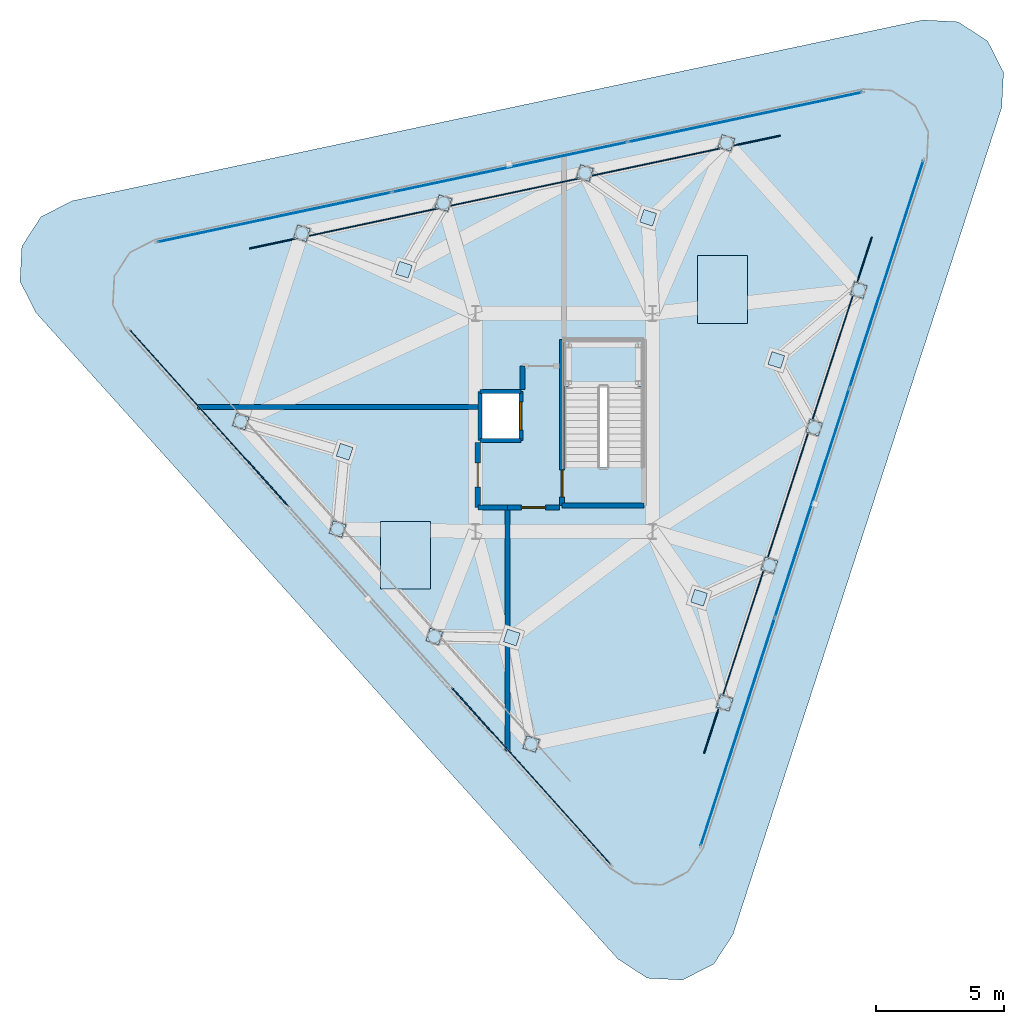
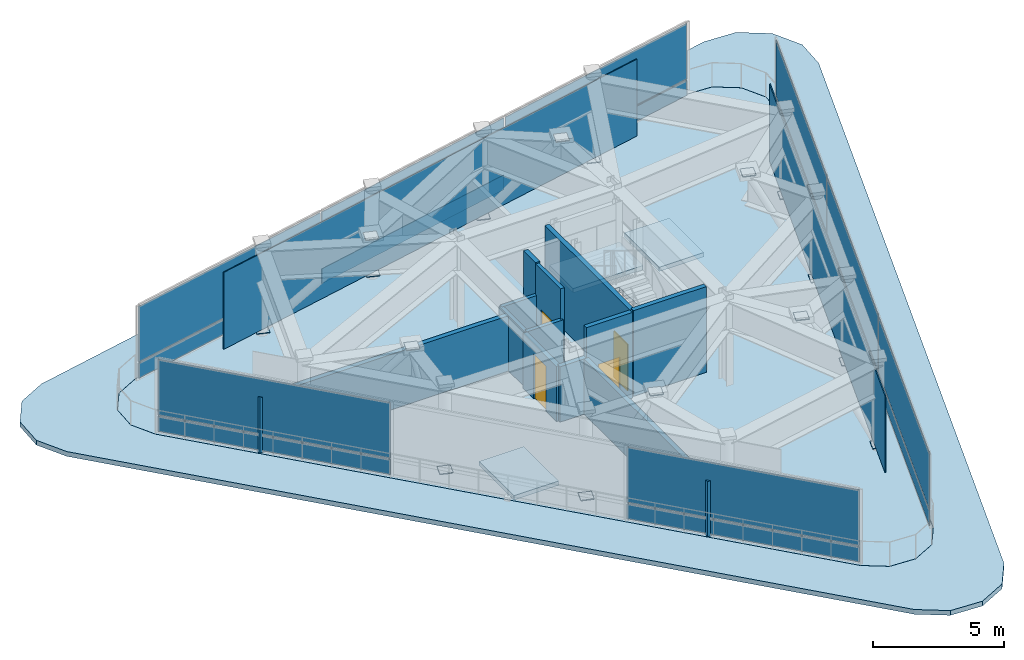
# One storey, part 3 of 6: 36 plates, 12 walls, 5 slabs, 4 doors, 4 openings, 4 elements without a shape of their own.
"""IFC4 building model written with IfcOpenShell, lengths in metres."""

from ifc_helpers import new_model, si_unit, direction, frame, frame_2d, origin, origin_2d, place, context, subcontext, project, spatial, polyline, rectangle, outline, extrude, material, layer, layer_set, type_object, element, fill, aggregate, save


model = new_model("IFC4")

# Units and contexts
model_context = context("Model", 3, precision=1e-05, world=origin(), true_north=direction((0.0, 1.0)))
body_context = subcontext(model_context, "Body", "Model", "MODEL_VIEW")
ifc_project = project(units=[si_unit("LENGTHUNIT", "METRE"), si_unit("AREAUNIT", "SQUARE_METRE"), si_unit("VOLUMEUNIT", "CUBIC_METRE"), si_unit("PLANEANGLEUNIT", "RADIAN"), si_unit("MASSUNIT", "GRAM", prefix="KILO")], contexts=[model_context])

# Site, building, storey
site_placement = place(None, origin())
site = spatial("IfcSite", under=ifc_project, at=site_placement, CompositionType="ELEMENT")
building_placement = place(site_placement, origin())
building = spatial("IfcBuilding", under=site, at=building_placement, Name="Terralouvre Media Tower", CompositionType="ELEMENT")
storey_placement = place(building_placement, frame((0.0, 0.0, 326.60009765625)))
storey = spatial("IfcBuildingStorey", under=building, at=storey_placement, Name="L84", CompositionType="ELEMENT", Elevation=326.60009765625)

# Plates
ifc_material_1 = material(Name="Low-iron laminated double glazing with solar-control coating", Category="glass")
ifc_layer_1 = layer(ifc_material_1, 0.0419921875, Name="Crown Faceted Tapered Glass Panel CWP-04")
ifc_layer_set_1 = layer_set([ifc_layer_1], Name="Low-iron laminated double glazing with solar-control coating")
plate_type_1 = type_object("IfcPlateType", Name="Crown Faceted Tapered Glass Panel CWP-04", PredefinedType="SHEET", material=ifc_layer_set_1)
for number, where, z_axis, x_axis, name in (
    (1, (8.731689453125, -2.837158203125, 0.31494140625), (0.0, 0.0, 1.0), (0.3090168573, 0.951056560834, 0.0), "L84 Faceted Glass-Point Crown Panel F0"),
    (2, (-1.908935546875, 8.980224609375, 0.31494140625), (0.0, 0.0, 1.0), (-0.978147555117, -0.207911905429, 0.0), "L84 Faceted Glass-Point Crown Panel F1"),
):
    element("IfcPlate", number, at=place(storey_placement, frame(where, z_axis=z_axis, x_axis=x_axis)), inside=storey, type_object=plate_type_1, Name=name, PredefinedType="SHEET", context=body_context, shape_type="SweptSolid", body=[
        extrude(rectangle(XDim=21.142822265625, YDim=0.044921875, at=origin_2d()), origin(), (0.0, 0.0, 1.0), 3.570068359375),
    ])

# Slabs
ifc_material_2 = material(Name="Concrete C40/50", Category="concrete")
ifc_layer_2 = layer(ifc_material_2, 0.219970703125, Name="Crown Plant and Catwalk Slab S-CRN220")
ifc_layer_set_2 = layer_set([ifc_layer_2], Name="Concrete C40/50")
slab_type_1 = type_object("IfcSlabType", Name="Crown Plant and Catwalk Slab S-CRN220", PredefinedType="FLOOR", material=ifc_layer_set_2)
slab_1_placement = place(storey_placement, frame((0.0, 0.0, -0.22021484375), z_axis=(0.0, 0.0, 1.0), x_axis=(0.309016994375, 0.951056516295, 0.0)))
element("IfcSlab", 3, at=slab_1_placement, inside=storey, type_object=slab_type_1, Name="L84 Structural Floor Slab", PredefinedType="FLOOR", context=body_context, shape_type="SweptSolid", body=[
    extrude(outline(polyline([(-15.9619140625, -7.065673828125), (-16.25, -8.140625), (-15.9619140625, -9.215576171875), (-15.175048828125, -10.002685546875), (-14.10009765625, -10.29052734375), (14.10009765625, -10.29052734375), (15.175048828125, -10.002685546875), (15.9619140625, -9.215576171875), (16.25, -8.140625), (15.9619140625, -7.065673828125), (1.862060546875, 17.356201171875), (1.074951171875, 18.143310546875), (0.0, 18.431396484375), (-1.074951171875, 18.143310546875), (-1.862060546875, 17.356201171875), (-15.9619140625, -7.065673828125)]), holes=[polyline([(-1.57861328125, 2.851806640625), (0.076416015625, 3.389404296875), (0.5244140625, 2.010498046875), (-1.13037109375, 1.47265625), (-1.57861328125, 2.851806640625)]), polyline([(-1.669189453125, -0.542236328125), (3.04345703125, 0.98876953125), (3.9951171875, -1.9404296875), (-0.71728515625, -3.4716796875), (-1.669189453125, -0.542236328125)])]), origin(), (0.0, 0.0, 1.0), 0.22021484375),
])
slab_2_placement = place(storey_placement, frame((0.0, 0.0, -0.22021484375), z_axis=(0.0, 0.0, 1.0), x_axis=(0.309016994375, 0.951056516295, 0.0)))
element("IfcSlab", 4, at=slab_2_placement, inside=storey, type_object=slab_type_1, Name="L84 Crown Plant Setback Acoustic Roof Slab", PredefinedType="ROOF", context=body_context, shape_type="SweptSolid", body=[
    extrude(outline(polyline([(-19.244873046875, -8.461181640625), (-19.60009765625, -9.7861328125), (-19.244873046875, -11.111083984375), (-18.27490234375, -12.0810546875), (-16.949951171875, -12.43603515625), (16.949951171875, -12.43603515625), (18.27490234375, -12.0810546875), (19.244873046875, -11.111083984375), (19.60009765625, -9.7861328125), (19.244873046875, -8.461181640625), (2.294921875, 20.897216796875), (1.324951171875, 21.8671875), (0.0, 22.22216796875), (-1.324951171875, 21.8671875), (-2.294921875, 20.897216796875), (-19.244873046875, -8.461181640625)]), holes=[polyline([(-15.963623046875, -7.064697265625), (-1.86376953125, 17.357177734375), (-1.863525390625, 17.357421875), (-1.863525390625, 17.357666015625), (-1.86328125, 17.357666015625), (-1.076416015625, 18.14453125), (-1.076171875, 18.144775390625), (-1.076171875, 18.14501953125), (-1.075927734375, 18.14501953125), (-1.07568359375, 18.14501953125), (-1.075439453125, 18.145263671875), (-0.00048828125, 18.43310546875), (-0.000244140625, 18.433349609375), (0.0, 18.433349609375), (0.0, 18.433349609375), (0.000244140625, 18.433349609375), (0.00048828125, 18.43310546875), (1.075439453125, 18.145263671875), (1.07568359375, 18.14501953125), (1.075927734375, 18.14501953125), (1.076171875, 18.14501953125), (1.076171875, 18.144775390625), (1.076416015625, 18.14453125), (1.86328125, 17.357666015625), (1.863525390625, 17.357666015625), (1.863525390625, 17.357421875), (1.86376953125, 17.357177734375), (15.963623046875, -7.064697265625), (15.9638671875, -7.064697265625), (15.9638671875, -7.06494140625), (15.9638671875, -7.065185546875), (16.251953125, -8.14013671875), (16.251953125, -8.140380859375), (16.251953125, -8.140625), (16.251953125, -8.140625), (16.251953125, -8.140869140625), (16.251953125, -8.14111328125), (15.9638671875, -9.216064453125), (15.9638671875, -9.21630859375), (15.963623046875, -9.216552734375), (15.963623046875, -9.216796875), (15.963623046875, -9.216796875), (15.96337890625, -9.217041015625), (15.176513671875, -10.00390625), (15.17626953125, -10.004150390625), (15.176025390625, -10.00439453125), (15.176025390625, -10.00439453125), (15.17578125, -10.00439453125), (15.175537109375, -10.004638671875), (14.1005859375, -10.29248046875), (14.100341796875, -10.292724609375), (14.10009765625, -10.292724609375), (14.10009765625, -10.292724609375), (-14.10009765625, -10.292724609375), (-14.10009765625, -10.292724609375), (-14.100341796875, -10.292724609375), (-14.1005859375, -10.29248046875), (-15.175537109375, -10.004638671875), (-15.17578125, -10.00439453125), (-15.176025390625, -10.00439453125), (-15.176025390625, -10.00439453125), (-15.17626953125, -10.004150390625), (-15.176513671875, -10.00390625), (-15.96337890625, -9.217041015625), (-15.963623046875, -9.216796875), (-15.963623046875, -9.216796875), (-15.963623046875, -9.216552734375), (-15.9638671875, -9.21630859375), (-15.9638671875, -9.216064453125), (-16.251953125, -8.14111328125), (-16.251953125, -8.140869140625), (-16.251953125, -8.140625), (-16.251953125, -8.140625), (-16.251953125, -8.140380859375), (-16.251953125, -8.14013671875), (-15.9638671875, -7.065185546875), (-15.9638671875, -7.06494140625), (-15.9638671875, -7.064697265625), (-15.963623046875, -7.064697265625)])]), origin(), (0.0, 0.0, 1.0), 0.22021484375),
])

# Plates
ifc_material_3 = material(Name="Structural steel S355J2", Category="steel")
ifc_layer_3 = layer(ifc_material_3, 0.028076171875, Name="Crown Rib End-Cap Node Plate ND-CR1")
ifc_layer_set_3 = layer_set([ifc_layer_3], Name="Structural steel S355J2")
plate_type_2 = type_object("IfcPlateType", Name="Crown Rib End-Cap Node Plate ND-CR1", PredefinedType="SHEET", material=ifc_layer_set_3)
for number, where, z_axis, x_axis, name in (
    (5, (6.269287109375, -10.932373046875, 0.1357421875), (0.0, 0.0, 1.0), (0.309016994375, 0.951056516295, 0.0), "L84 Crown Rib Base Plate 01"),
    (6, (5.267578125, -6.8330078125, 3.9658203125), (0.0, 0.0, 1.0), (0.309016994375, 0.951056516295, 0.0), "L84 Crown Rib Top Plate 01"),
    (7, (8.011962890625, -5.568359375, 0.1357421875), (0.0, 0.0, 1.0), (0.309016994375, 0.951056516295, 0.0), "L84 Crown Rib Base Plate 02"),
    (8, (9.7548828125, -0.204345703125, 0.1357421875), (0.0, 0.0, 1.0), (0.309016994375, 0.951056516295, 0.0), "L84 Crown Rib Base Plate 03"),
    (9, (8.27783203125, 2.431884765625, 3.9658203125), (0.0, 0.0, 1.0), (0.309016994375, 0.951056516295, 0.0), "L84 Crown Rib Top Plate 03"),
    (10, (11.497802734375, 5.159423828125, 0.1357421875), (0.0, 0.0, 1.0), (0.309016994375, 0.951056516295, 0.0), "L84 Crown Rib Base Plate 04"),
    (11, (6.3330078125, 10.8955078125, 0.1357421875), (0.0, 0.0, 1.0), (0.309016994375, 0.951056516295, 0.0), "L84 Crown Rib Base Plate 05"),
    (12, (3.28369140625, 7.978271484375, 3.9658203125), (0.0, 0.0, 1.0), (0.309016994375, 0.951056516295, 0.0), "L84 Crown Rib Top Plate 05"),
    (13, (0.81640625, 9.722900390625, 0.1357421875), (0.0, 0.0, 1.0), (0.309016994375, 0.951056516295, 0.0), "L84 Crown Rib Base Plate 06"),
    (14, (-4.700439453125, 8.55029296875, 0.1357421875), (0.0, 0.0, 1.0), (0.309016994375, 0.951056516295, 0.0), "L84 Crown Rib Base Plate 07"),
    (15, (-6.244873046875, 5.952880859375, 3.9658203125), (0.0, 0.0, 1.0), (0.309016994375, 0.951056516295, 0.0), "L84 Crown Rib Top Plate 07"),
    (16, (-10.21728515625, 7.377685546875, 0.1357421875), (0.0, 0.0, 1.0), (0.309016994375, 0.951056516295, 0.0), "L84 Crown Rib Base Plate 08"),
    (17, (-12.602294921875, 0.036865234375, 0.1357421875), (0.0, 0.0, 1.0), (0.309016994375, 0.951056516295, 0.0), "L84 Crown Rib Base Plate 09"),
    (18, (-8.55126953125, -1.145263671875, 3.9658203125), (0.0, 0.0, 1.0), (0.309016994375, 0.951056516295, 0.0), "L84 Crown Rib Top Plate 09"),
    (19, (-8.828369140625, -4.154541015625, 0.1357421875), (0.0, 0.0, 1.0), (0.309016994375, 0.951056516295, 0.0), "L84 Crown Rib Base Plate 10"),
    (20, (-5.054443359375, -8.345703125, 0.1357421875), (0.0, 0.0, 1.0), (0.309016994375, 0.951056516295, 0.0), "L84 Crown Rib Base Plate 11"),
    (21, (-2.032958984375, -8.384765625, 3.9658203125), (0.0, 0.0, 1.0), (0.309016994375, 0.951056516295, 0.0), "L84 Crown Rib Top Plate 11"),
    (22, (-1.280517578125, -12.537109375, 0.1357421875), (0.0, 0.0, 1.0), (0.309016994375, 0.951056516295, 0.0), "L84 Crown Rib Base Plate 12"),
):
    element("IfcPlate", number, at=place(storey_placement, frame(where, z_axis=z_axis, x_axis=x_axis)), inside=storey, type_object=plate_type_2, Name=name, PredefinedType="SHEET", context=body_context, shape_type="SweptSolid", body=[
        extrude(rectangle(XDim=0.52001953125, YDim=0.52001953125, at=origin_2d()), origin(), (0.0, 0.0, 1.0), 0.028076171875),
    ])

# Slabs
ifc_material_4 = material(Name="Concrete C50/60", Category="concrete")
ifc_layer_4 = layer(ifc_material_4, 0.199951171875, Name="Lift Pit and Overrun Structural Slab SL-LP200")
ifc_layer_set_4 = layer_set([ifc_layer_4], Name="Concrete C50/60")
slab_type_2 = type_object("IfcSlabType", Name="Lift Pit and Overrun Structural Slab SL-LP200", PredefinedType="FLOOR", material=ifc_layer_set_4)
slab_3_placement = place(storey_placement, frame((0.0, 0.0, -0.420166015625)))
element("IfcSlab", 23, at=slab_3_placement, inside=storey, type_object=slab_type_2, Name="FFL-01 Lift Hoistway Overrun Slab", PredefinedType="FLOOR", context=body_context, shape_type="SweptSolid", body=[
    extrude(outline(polyline([(-7.159912109375, -6.5), (-5.199951171875, -6.5), (-5.199951171875, -3.860107421875), (-7.159912109375, -3.860107421875), (-7.159912109375, -6.5)])), origin(), (0.0, 0.0, 1.0), 0.199951171875),
])
slab_4_placement = place(storey_placement, frame((0.0, 0.0, -0.420166015625)))
element("IfcSlab", 24, at=slab_4_placement, inside=storey, type_object=slab_type_2, Name="FFL-02 Lift Hoistway Overrun Slab", PredefinedType="FLOOR", context=body_context, shape_type="SweptSolid", body=[
    extrude(outline(polyline([(5.199951171875, 3.860107421875), (7.159912109375, 3.860107421875), (7.159912109375, 6.5), (5.199951171875, 6.5), (5.199951171875, 3.860107421875)])), origin(), (0.0, 0.0, 1.0), 0.199951171875),
])

# Stair, slab
ifc_material_5 = material(Name="Concrete C45/55", Category="concrete")
stair_type = type_object("IfcStairType", Name="Dogleg Stair Assembly ST-05", PredefinedType="HALF_TURN_STAIR", material=ifc_material_5)
stair_placement = place(storey_placement, origin())
stair = element("IfcStair", 25, at=stair_placement, inside=storey, type_object=stair_type, Name="L84 Crown Maintenance Stair ST-05", PredefinedType="HALF_TURN_STAIR")
ifc_material_6 = material(Name="Concrete C45/55", Category="concrete")
ifc_layer_5 = layer(ifc_material_6, 0.199951171875, Name="Reinforced Concrete Stair Half-Landing SL-LD1")
ifc_layer_set_5 = layer_set([ifc_layer_5], Name="Concrete C45/55")
slab_type_3 = type_object("IfcSlabType", Name="Reinforced Concrete Stair Half-Landing SL-LD1", PredefinedType="LANDING", material=ifc_layer_set_5)
slab_5_placement = place(storey_placement, frame((0.0, 0.0, 1.89990234375)))
slab_5 = element("IfcSlab", 26, at=slab_5_placement, type_object=slab_type_3, Name="ST-05 landing 1", PredefinedType="LANDING", context=body_context, shape_type="SweptSolid", body=[
    extrude(outline(polyline([(3.080078125, 1.39990234375), (3.080078125, 3.199951171875), (0.0, 3.199951171875), (0.0, 1.39990234375), (3.080078125, 1.39990234375)])), origin(), (0.0, 0.0, 1.0), 0.199951171875),
])
aggregate(stair, [slab_5])

# Curtain wall, plates
ifc_material_7 = material(Name="Low-iron laminated double glazing with solar-control coating", Category="glass")
ifc_layer_6 = layer(ifc_material_7, 0.1650390625, Name="Faceted Glass-Point Crown Curtain Wall CW-06")
ifc_layer_set_6 = layer_set([ifc_layer_6], Name="Low-iron laminated double glazing with solar-control coating")
curtain_wall_type = type_object("IfcCurtainWallType", Name="Faceted Glass-Point Crown Curtain Wall CW-06", PredefinedType="NOTDEFINED", material=ifc_layer_set_6)
curtain_wall_1_placement = place(storey_placement, origin())
curtain_wall_1 = element("IfcCurtainWall", 27, at=curtain_wall_1_placement, inside=storey, type_object=curtain_wall_type, Name="L84 Facade Curtain Wall F0", PredefinedType="NOTDEFINED")
ifc_material_8 = material(Name="Low-iron laminated double glazing with solar-control coating", Category="glass")
ifc_layer_7 = layer(ifc_material_8, 0.035888671875, Name="Vision Double-Glazed Unit CWP-01")
ifc_layer_set_7 = layer_set([ifc_layer_7], Name="Low-iron laminated double glazing with solar-control coating")
plate_type_3 = type_object("IfcPlateType", Name="Vision Double-Glazed Unit CWP-01", PredefinedType="CURTAIN_PANEL", material=ifc_layer_set_7)
plate_1_placement = place(storey_placement, frame((6.77392578125, -12.06494140625, 0.074951171875), z_axis=(0.0, 0.0, 1.0), x_axis=(0.309016953674, 0.95105652952, 0.0)))
plate_1 = element("IfcPlate", 28, at=plate_1_placement, type_object=plate_type_3, Name="CW-06 panel 1.1", PredefinedType="CURTAIN_PANEL", context=body_context, shape_type="SweptSolid", body=[
    extrude(rectangle(XDim=9.28759765625, YDim=0.035888671875, at=origin_2d()), origin(), (0.0, 0.0, 1.0), 0.6875),
])
plate_2_placement = place(storey_placement, frame((6.77392578125, -12.06494140625, 0.83740234375), z_axis=(0.0, 0.0, 1.0), x_axis=(0.309016953674, 0.95105652952, 0.0)))
plate_2 = element("IfcPlate", 29, at=plate_2_placement, type_object=plate_type_3, Name="CW-06 panel 1.2", PredefinedType="CURTAIN_PANEL", context=body_context, shape_type="SweptSolid", body=[
    extrude(rectangle(XDim=9.28759765625, YDim=0.035888671875, at=origin_2d()), origin(), (0.0, 0.0, 1.0), 2.5673828125),
])
plate_3_placement = place(storey_placement, frame((9.6728515625, -3.142822265625, 0.074951171875), z_axis=(0.0, 0.0, 1.0), x_axis=(0.309016953674, 0.95105652952, 0.0)))
plate_3 = element("IfcPlate", 30, at=plate_3_placement, type_object=plate_type_3, Name="CW-06 panel 2.1", PredefinedType="CURTAIN_PANEL", context=body_context, shape_type="SweptSolid", body=[
    extrude(rectangle(XDim=9.324951171875, YDim=0.035888671875, at=origin_2d()), origin(), (0.0, 0.0, 1.0), 0.6875),
])
plate_4_placement = place(storey_placement, frame((9.6728515625, -3.142822265625, 0.83740234375), z_axis=(0.0, 0.0, 1.0), x_axis=(0.309016953674, 0.95105652952, 0.0)))
plate_4 = element("IfcPlate", 31, at=plate_4_placement, type_object=plate_type_3, Name="CW-06 panel 2.2", PredefinedType="CURTAIN_PANEL", context=body_context, shape_type="SweptSolid", body=[
    extrude(rectangle(XDim=9.324951171875, YDim=0.035888671875, at=origin_2d()), origin(), (0.0, 0.0, 1.0), 2.5673828125),
])
plate_5_placement = place(storey_placement, frame((12.57177734375, 5.779296875, 0.074951171875), z_axis=(0.0, 0.0, 1.0), x_axis=(0.309016953674, 0.95105652952, 0.0)))
plate_5 = element("IfcPlate", 32, at=plate_5_placement, type_object=plate_type_3, Name="CW-06 panel 3.1", PredefinedType="CURTAIN_PANEL", context=body_context, shape_type="SweptSolid", body=[
    extrude(rectangle(XDim=9.28759765625, YDim=0.035888671875, at=origin_2d()), origin(), (0.0, 0.0, 1.0), 0.6875),
])
plate_6_placement = place(storey_placement, frame((12.57177734375, 5.779296875, 0.83740234375), z_axis=(0.0, 0.0, 1.0), x_axis=(0.309016953674, 0.95105652952, 0.0)))
plate_6 = element("IfcPlate", 33, at=plate_6_placement, type_object=plate_type_3, Name="CW-06 panel 3.2", PredefinedType="CURTAIN_PANEL", context=body_context, shape_type="SweptSolid", body=[
    extrude(rectangle(XDim=9.28759765625, YDim=0.035888671875, at=origin_2d()), origin(), (0.0, 0.0, 1.0), 2.5673828125),
])
aggregate(curtain_wall_1, [plate_1, plate_2, plate_3, plate_4, plate_5, plate_6])

curtain_wall_2_placement = place(storey_placement, origin())
curtain_wall_2 = element("IfcCurtainWall", 34, at=curtain_wall_2_placement, inside=storey, type_object=curtain_wall_type, Name="L84 Facade Curtain Wall F1", PredefinedType="NOTDEFINED")
plate_7_placement = place(storey_placement, frame((7.061767578125, 11.89892578125, 0.074951171875), z_axis=(0.0, 0.0, 1.0), x_axis=(-0.978147610176, -0.207911646397, 0.0)))
plate_7 = element("IfcPlate", 35, at=plate_7_placement, type_object=plate_type_3, Name="CW-06 panel 1.1", PredefinedType="CURTAIN_PANEL", context=body_context, shape_type="SweptSolid", body=[
    extrude(rectangle(XDim=9.28759765625, YDim=0.035888671875, at=origin_2d()), origin(), (0.0, 0.0, 1.0), 0.6875),
])
plate_8_placement = place(storey_placement, frame((7.061767578125, 11.89892578125, 0.83740234375), z_axis=(0.0, 0.0, 1.0), x_axis=(-0.978147610176, -0.207911646397, 0.0)))
plate_8 = element("IfcPlate", 36, at=plate_8_placement, type_object=plate_type_3, Name="CW-06 panel 1.2", PredefinedType="CURTAIN_PANEL", context=body_context, shape_type="SweptSolid", body=[
    extrude(rectangle(XDim=9.28759765625, YDim=0.035888671875, at=origin_2d()), origin(), (0.0, 0.0, 1.0), 2.5673828125),
])
plate_9_placement = place(storey_placement, frame((-2.114501953125, 9.948486328125, 0.074951171875), z_axis=(0.0, 0.0, 1.0), x_axis=(-0.978147610176, -0.207911646397, 0.0)))
plate_9 = element("IfcPlate", 37, at=plate_9_placement, type_object=plate_type_3, Name="CW-06 panel 2.1", PredefinedType="CURTAIN_PANEL", context=body_context, shape_type="SweptSolid", body=[
    extrude(rectangle(XDim=9.324951171875, YDim=0.035888671875, at=origin_2d()), origin(), (0.0, 0.0, 1.0), 0.6875),
])
plate_10_placement = place(storey_placement, frame((-2.114501953125, 9.948486328125, 0.83740234375), z_axis=(0.0, 0.0, 1.0), x_axis=(-0.978147610176, -0.207911646397, 0.0)))
plate_10 = element("IfcPlate", 38, at=plate_10_placement, type_object=plate_type_3, Name="CW-06 panel 2.2", PredefinedType="CURTAIN_PANEL", context=body_context, shape_type="SweptSolid", body=[
    extrude(rectangle(XDim=9.324951171875, YDim=0.035888671875, at=origin_2d()), origin(), (0.0, 0.0, 1.0), 2.5673828125),
])
plate_11_placement = place(storey_placement, frame((-11.290771484375, 7.997802734375, 0.074951171875), z_axis=(0.0, 0.0, 1.0), x_axis=(-0.978147610176, -0.207911646397, 0.0)))
plate_11 = element("IfcPlate", 39, at=plate_11_placement, type_object=plate_type_3, Name="CW-06 panel 3.1", PredefinedType="CURTAIN_PANEL", context=body_context, shape_type="SweptSolid", body=[
    extrude(rectangle(XDim=9.28759765625, YDim=0.035888671875, at=origin_2d()), origin(), (0.0, 0.0, 1.0), 0.6875),
])
plate_12_placement = place(storey_placement, frame((-11.290771484375, 7.997802734375, 0.83740234375), z_axis=(0.0, 0.0, 1.0), x_axis=(-0.978147610176, -0.207911646397, 0.0)))
plate_12 = element("IfcPlate", 40, at=plate_12_placement, type_object=plate_type_3, Name="CW-06 panel 3.2", PredefinedType="CURTAIN_PANEL", context=body_context, shape_type="SweptSolid", body=[
    extrude(rectangle(XDim=9.28759765625, YDim=0.035888671875, at=origin_2d()), origin(), (0.0, 0.0, 1.0), 2.5673828125),
])
aggregate(curtain_wall_2, [plate_7, plate_8, plate_9, plate_10, plate_11, plate_12])

curtain_wall_3_placement = place(storey_placement, origin())
curtain_wall_3 = element("IfcCurtainWall", 41, at=curtain_wall_3_placement, inside=storey, type_object=curtain_wall_type, Name="L84 Facade Curtain Wall F2", PredefinedType="NOTDEFINED")
plate_13_placement = place(storey_placement, frame((-13.83544921875, 0.166259765625, 0.074951171875), z_axis=(0.0, 0.0, 1.0), x_axis=(0.669130441247, -0.743144974145, 0.0)))
plate_13 = element("IfcPlate", 42, at=plate_13_placement, type_object=plate_type_3, Name="CW-06 panel 1.1", PredefinedType="CURTAIN_PANEL", context=body_context, shape_type="SweptSolid", body=[
    extrude(rectangle(XDim=9.28759765625, YDim=0.035888671875, at=origin_2d()), origin(), (0.0, 0.0, 1.0), 0.6875),
])
plate_14_placement = place(storey_placement, frame((-13.83544921875, 0.166259765625, 0.83740234375), z_axis=(0.0, 0.0, 1.0), x_axis=(0.669130441247, -0.743144974145, 0.0)))
plate_14 = element("IfcPlate", 43, at=plate_14_placement, type_object=plate_type_3, Name="CW-06 panel 1.2", PredefinedType="CURTAIN_PANEL", context=body_context, shape_type="SweptSolid", body=[
    extrude(rectangle(XDim=9.28759765625, YDim=0.035888671875, at=origin_2d()), origin(), (0.0, 0.0, 1.0), 2.5673828125),
])
plate_15_placement = place(storey_placement, frame((-1.281005859375, -13.777099609375, 0.074951171875), z_axis=(0.0, 0.0, 1.0), x_axis=(0.669130441247, -0.743144974145, 0.0)))
plate_15 = element("IfcPlate", 44, at=plate_15_placement, type_object=plate_type_3, Name="CW-06 panel 3.1", PredefinedType="CURTAIN_PANEL", context=body_context, shape_type="SweptSolid", body=[
    extrude(rectangle(XDim=9.28759765625, YDim=0.035888671875, at=origin_2d()), origin(), (0.0, 0.0, 1.0), 0.6875),
])
plate_16_placement = place(storey_placement, frame((-1.281005859375, -13.777099609375, 0.83740234375), z_axis=(0.0, 0.0, 1.0), x_axis=(0.669130441247, -0.743144974145, 0.0)))
plate_16 = element("IfcPlate", 45, at=plate_16_placement, type_object=plate_type_3, Name="CW-06 panel 3.2", PredefinedType="CURTAIN_PANEL", context=body_context, shape_type="SweptSolid", body=[
    extrude(rectangle(XDim=9.28759765625, YDim=0.035888671875, at=origin_2d()), origin(), (0.0, 0.0, 1.0), 2.5673828125),
])
aggregate(curtain_wall_3, [plate_13, plate_14, plate_15, plate_16])

# Wall
ifc_material_9 = material(Name="Fire-rated gypsum board drywall partition")
ifc_layer_8 = layer(ifc_material_9, 0.199951171875, Name="Fire-Rated Shaft and Lobby Partition FW-200")
ifc_layer_set_8 = layer_set([ifc_layer_8], Name="Fire-rated gypsum board drywall partition")
wall_type = type_object("IfcWallType", Name="Fire-Rated Shaft and Lobby Partition FW-200", PredefinedType="SOLIDWALL", material=ifc_layer_set_8)
wall_1_placement = place(storey_placement, frame((-0.080078125, -3.239990234375, 0.0), z_axis=(0.0, 0.0, 1.0), x_axis=(1.0, 0.0, 0.0)))
element("IfcWall", 46, at=wall_1_placement, inside=storey, type_object=wall_type, Name="L84 ST05 Stair Shaft Wall S", PredefinedType="SOLIDWALL", context=body_context, shape_type="SweptSolid", body=[
    extrude(rectangle(XDim=3.2001953125, YDim=0.199951171875, at=frame_2d((1.60009765625, 0.0))), origin(), (0.0, 0.0, 1.0), 3.97998046875),
])

# Wall, opening, door
wall_2_placement = place(storey_placement, frame((-0.080078125, 3.239990234375, 0.0), z_axis=(0.0, 0.0, 1.0), x_axis=(0.0, -1.0, 0.0)))
wall_2 = element("IfcWall", 47, at=wall_2_placement, inside=storey, type_object=wall_type, Name="L84 ST05 Stair Shaft Wall W", PredefinedType="SOLIDWALL", context=body_context, shape_type="SweptSolid", body=[
    extrude(rectangle(XDim=6.47998046875, YDim=0.199951171875, at=frame_2d((3.239990234375, 0.0))), origin(), (0.0, 0.0, 1.0), 3.97998046875),
])
opening_1_placement = place(wall_2_placement, frame((5.10009765625, 0.0, 0.0)))
opening_1 = element("IfcOpeningElement", 48, at=opening_1_placement, cuts=wall_2, Name="Opening FD-01-105X215", PredefinedType="OPENING", context=body_context, shape_type="SweptSolid", body=[
    extrude(rectangle(XDim=1.050048828125, YDim=2.14990234375, at=frame_2d((0.52490234375, 1.074951171875))), frame((0.0, 0.10986328125, 0.0), z_axis=(0.0, -1.0, 0.0), x_axis=(1.0, 0.0, 0.0)), (0.0, 0.0, 1.0), 0.219970703125),
])
ifc_material_10 = material(Name="Galvanised steel fire-resisting leaf", Category="steel")
door_type_1 = type_object("IfcDoorType", Name="Stair and Firefighting Lobby Fire Door FD-01 (1050x2150)", OperationType="NOTDEFINED", PredefinedType="DOOR", material=ifc_material_10)
door_1_placement = place(opening_1_placement, origin())
door_1 = element("IfcDoor", 49, at=door_1_placement, inside=storey, type_object=door_type_1, Name="L84 ST05 Pressurised Stair Door", OperationType="SINGLE_SWING_LEFT", OverallHeight=2.14990234375, OverallWidth=1.050048828125, PredefinedType="DOOR", context=body_context, shape_type="SweptSolid", body=[
    extrude(rectangle(XDim=1.050048828125, YDim=2.14990234375, at=frame_2d((0.52490234375, 1.074951171875))), frame((0.0, 0.02490234375, 0.0), z_axis=(0.0, -1.0, 0.0), x_axis=(1.0, 0.0, 0.0)), (0.0, 0.0, 1.0), 0.050048828125),
])
fill(opening_1, door_1)

# Walls
wall_3_placement = place(storey_placement, frame((-3.280029296875, -0.699951171875, 0.0), z_axis=(0.0, 0.0, 1.0), x_axis=(0.0, 1.0, 0.0)))
element("IfcWall", 50, at=wall_3_placement, inside=storey, type_object=wall_type, Name="L84 CSL-01 Lift Shaft Wall W", PredefinedType="SOLIDWALL", context=body_context, shape_type="SweptSolid", body=[
    extrude(rectangle(XDim=1.89990234375, YDim=0.159912109375, at=frame_2d((0.949951171875, 0.0))), origin(), (0.0, 0.0, 1.0), 2.56494140625),
])
for number, where, z_axis, x_axis, name in (
    (51, (-3.280029296875, 1.199951171875, 0.0), (0.0, 0.0, 1.0), (1.0, 0.0, 0.0), "L84 CSL-01 Lift Shaft Wall N"),
    (52, (-1.679931640625, -0.699951171875, 0.0), (0.0, 0.0, 1.0), (-1.0, 0.0, 0.0), "L84 CSL-01 Lift Shaft Wall S"),
):
    element("IfcWall", number, at=place(storey_placement, frame(where, z_axis=z_axis, x_axis=x_axis)), inside=storey, type_object=wall_type, Name=name, PredefinedType="SOLIDWALL", context=body_context, shape_type="SweptSolid", body=[
        extrude(rectangle(XDim=1.60009765625, YDim=0.159912109375, at=frame_2d((0.800048828125, 0.0))), origin(), (0.0, 0.0, 1.0), 2.56494140625),
    ])

# Wall, opening, door
wall_4_placement = place(storey_placement, frame((-1.679931640625, -0.699951171875, 0.0), z_axis=(0.0, 0.0, 1.0), x_axis=(0.0, 1.0, 0.0)))
wall_4 = element("IfcWall", 53, at=wall_4_placement, inside=storey, type_object=wall_type, Name="L84 CSL-01 Lift Shaft Wall E", PredefinedType="SOLIDWALL", context=body_context, shape_type="SweptSolid", body=[
    extrude(rectangle(XDim=1.89990234375, YDim=0.159912109375, at=frame_2d((0.949951171875, 0.0))), origin(), (0.0, 0.0, 1.0), 3.97998046875),
])
opening_2_placement = place(wall_4_placement, frame((0.39990234375, 0.0, 0.0)))
opening_2 = element("IfcOpeningElement", 54, at=opening_2_placement, cuts=wall_4, Name="Opening LD-PL", PredefinedType="OPENING", context=body_context, shape_type="SweptSolid", body=[
    extrude(rectangle(XDim=1.10009765625, YDim=2.10009765625, at=frame_2d((0.550048828125, 1.050048828125))), frame((0.0, 0.08984375, 0.0), z_axis=(0.0, -1.0, 0.0), x_axis=(1.0, 0.0, 0.0)), (0.0, 0.0, 1.0), 0.179931640625),
])
ifc_material_11 = material(Name="Stainless steel 316 handrail and balustrade", Category="steel")
door_type_2 = type_object("IfcDoorType", Name="Passenger Lift Sliding Landing Door LD-PL", OperationType="SLIDING_TO_LEFT", PredefinedType="DOOR", material=ifc_material_11)
door_2_placement = place(opening_2_placement, origin())
door_2 = element("IfcDoor", 55, at=door_2_placement, inside=storey, type_object=door_type_2, Name="L84 Crown Service Lift CSL-01 Landing Door", OperationType="SLIDING_TO_LEFT", OverallHeight=2.10009765625, OverallWidth=1.10009765625, PredefinedType="DOOR", context=body_context, shape_type="SweptSolid", body=[
    extrude(rectangle(XDim=1.10009765625, YDim=2.10009765625, at=frame_2d((0.550048828125, 1.050048828125))), frame((0.0, 0.02490234375, 0.0), z_axis=(0.0, -1.0, 0.0), x_axis=(1.0, 0.0, 0.0)), (0.0, 0.0, 1.0), 0.050048828125),
])
fill(opening_2, door_2)

wall_5_placement = place(storey_placement, frame((-3.360107421875, -0.780029296875, 0.0), z_axis=(0.0, 0.0, 1.0), x_axis=(0.0, -1.0, 0.0)))
wall_5 = element("IfcWall", 56, at=wall_5_placement, inside=storey, type_object=wall_type, Name="L84 Interior Partition 001", PredefinedType="SOLIDWALL", context=body_context, shape_type="SweptSolid", body=[
    extrude(rectangle(XDim=2.5400390625, YDim=0.199951171875, at=frame_2d((1.27001953125, 0.0))), origin(), (0.0, 0.0, 1.0), 2.56494140625),
])
opening_3_placement = place(wall_5_placement, frame((0.794921875, 0.0, 0.0)))
opening_3 = element("IfcOpeningElement", 57, at=opening_3_placement, cuts=wall_5, Name="Opening FD-02-95X210", PredefinedType="OPENING", context=body_context, shape_type="SweptSolid", body=[
    extrude(rectangle(XDim=0.949951171875, YDim=2.10009765625, at=frame_2d((0.47509765625, 1.050048828125))), frame((0.0, 0.10986328125, 0.0), z_axis=(0.0, -1.0, 0.0), x_axis=(1.0, 0.0, 0.0)), (0.0, 0.0, 1.0), 0.219970703125),
])
ifc_material_12 = material(Name="Galvanised steel fire-resisting leaf", Category="steel")
door_type_3 = type_object("IfcDoorType", Name="Plant and Riser Fire Door FD-02 (950x2100)", OperationType="NOTDEFINED", PredefinedType="DOOR", material=ifc_material_12)
door_3_placement = place(opening_3_placement, origin())
door_3 = element("IfcDoor", 58, at=door_3_placement, inside=storey, type_object=door_type_3, Name="L84 L84 Upper Damper Mechanical Equipment Room Door", OperationType="SINGLE_SWING_RIGHT", OverallHeight=2.10009765625, OverallWidth=0.949951171875, PredefinedType="DOOR", context=body_context, shape_type="SweptSolid", body=[
    extrude(rectangle(XDim=0.949951171875, YDim=2.10009765625, at=frame_2d((0.47509765625, 1.050048828125))), frame((0.0, 0.02490234375, 0.0), z_axis=(0.0, -1.0, 0.0), x_axis=(1.0, 0.0, 0.0)), (0.0, 0.0, 1.0), 0.050048828125),
])
fill(opening_3, door_3)

# Wall
wall_6_placement = place(storey_placement, frame((-3.360107421875, -3.320068359375, 0.0), z_axis=(0.0, 0.0, 1.0), x_axis=(1.0, 0.0, 0.0)))
element("IfcWall", 59, at=wall_6_placement, inside=storey, type_object=wall_type, Name="L84 Interior Partition 002", PredefinedType="SOLIDWALL", context=body_context, shape_type="SweptSolid", body=[
    extrude(rectangle(XDim=1.16015625, YDim=0.199951171875, at=frame_2d((0.580078125, 0.0))), origin(), (0.0, 0.0, 1.0), 2.56494140625),
])

# Wall, opening, door
wall_7_placement = place(storey_placement, frame((-2.199951171875, -3.320068359375, 0.0), z_axis=(0.0, 0.0, 1.0), x_axis=(1.0, 0.0, 0.0)))
wall_7 = element("IfcWall", 60, at=wall_7_placement, inside=storey, type_object=wall_type, Name="L84 Interior Partition 003", PredefinedType="SOLIDWALL", context=body_context, shape_type="SweptSolid", body=[
    extrude(rectangle(XDim=2.02001953125, YDim=0.199951171875, at=frame_2d((1.010009765625, 0.0))), origin(), (0.0, 0.0, 1.0), 3.97998046875),
])
opening_4_placement = place(wall_7_placement, frame((0.534912109375, 0.0, 0.0)))
opening_4 = element("IfcOpeningElement", 61, at=opening_4_placement, cuts=wall_7, Name="Opening FD-02-95X210", PredefinedType="OPENING", context=body_context, shape_type="SweptSolid", body=[
    extrude(rectangle(XDim=0.949951171875, YDim=2.10009765625, at=frame_2d((0.47509765625, 1.050048828125))), frame((0.0, 0.10986328125, 0.0), z_axis=(0.0, -1.0, 0.0), x_axis=(1.0, 0.0, 0.0)), (0.0, 0.0, 1.0), 0.219970703125),
])
door_4_placement = place(opening_4_placement, origin())
door_4 = element("IfcDoor", 62, at=door_4_placement, inside=storey, type_object=door_type_3, Name="L84 L84 Upper Switchgear Electrical Equipment Room Door", OperationType="SINGLE_SWING_LEFT", OverallHeight=2.10009765625, OverallWidth=0.949951171875, PredefinedType="DOOR", context=body_context, shape_type="SweptSolid", body=[
    extrude(rectangle(XDim=0.949951171875, YDim=2.10009765625, at=frame_2d((0.47509765625, 1.050048828125))), frame((0.0, 0.02490234375, 0.0), z_axis=(0.0, -1.0, 0.0), x_axis=(1.0, 0.0, 0.0)), (0.0, 0.0, 1.0), 0.050048828125),
])
fill(opening_4, door_4)

# Walls
wall_8_placement = place(storey_placement, frame((-1.6201171875, 2.199951171875, 0.0), z_axis=(0.0, 0.0, 1.0), x_axis=(0.0, -1.0, 0.0)))
element("IfcWall", 63, at=wall_8_placement, inside=storey, type_object=wall_type, Name="L84 Interior Partition 005", PredefinedType="SOLIDWALL", context=body_context, shape_type="SweptSolid", body=[
    extrude(rectangle(XDim=0.919921875, YDim=0.199951171875, at=frame_2d((0.4599609375, 0.0))), origin(), (0.0, 0.0, 1.0), 3.97998046875),
])
wall_9_placement = place(storey_placement, frame((-2.199951171875, -12.816162109375, 0.0), z_axis=(0.0, 0.0, 1.0), x_axis=(0.0, 1.0, 0.0)))
element("IfcWall", 64, at=wall_9_placement, inside=storey, type_object=wall_type, Name="L84 Interior Partition 006", PredefinedType="SOLIDWALL", context=body_context, shape_type="SweptSolid", body=[
    extrude(rectangle(XDim=9.49609375, YDim=0.199951171875, at=frame_2d((4.748046875, 0.0))), origin(), (0.0, 0.0, 1.0), 2.56494140625),
])
wall_10_placement = place(storey_placement, frame((-3.360107421875, 0.60009765625, 0.0), z_axis=(0.0, 0.0, 1.0), x_axis=(-1.0, 0.0, 0.0)))
element("IfcWall", 65, at=wall_10_placement, inside=storey, type_object=wall_type, Name="L84 Interior Partition 007", PredefinedType="SOLIDWALL", context=body_context, shape_type="SweptSolid", body=[
    extrude(rectangle(XDim=10.919921875, YDim=0.199951171875, at=frame_2d((5.4599609375, 0.0))), origin(), (0.0, 0.0, 1.0), 2.56494140625),
])

save(model, "model.ifc")
